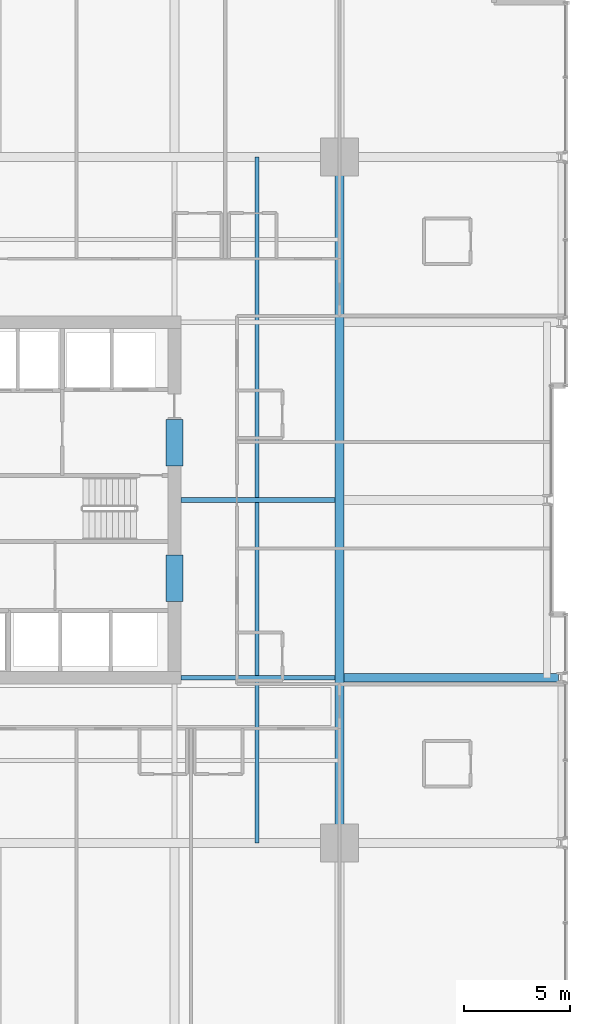
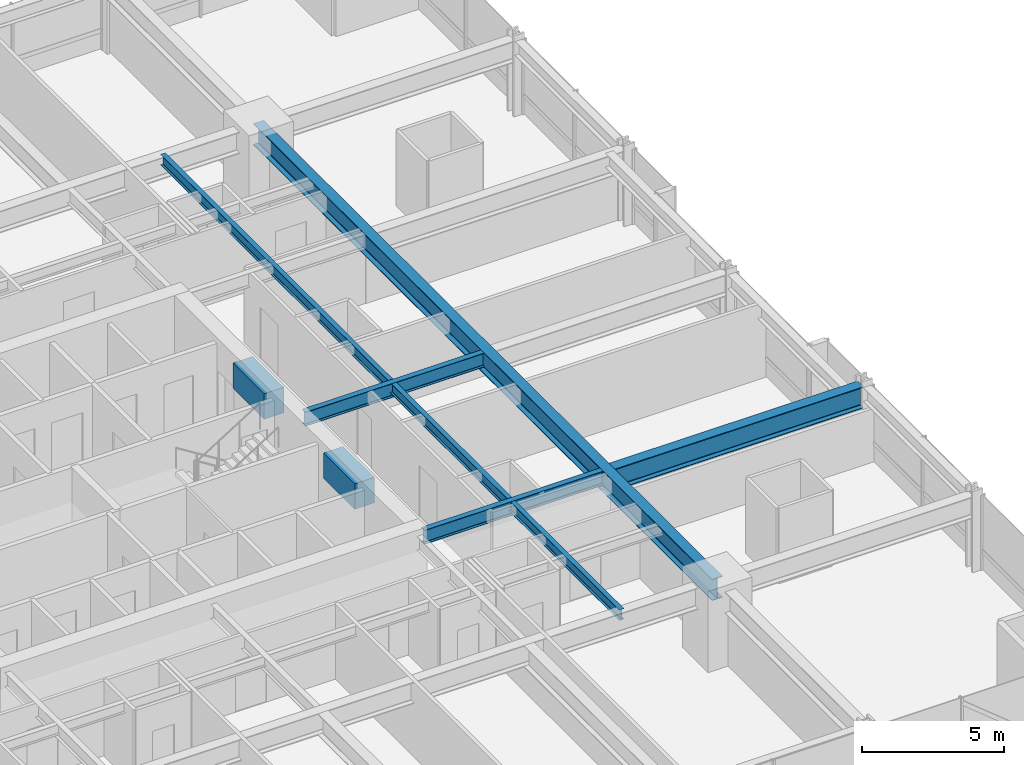
# One storey, part 15 of 39: 7 beams.
"""IFC4 building model written with IfcOpenShell, lengths in metres."""

from ifc_helpers import new_model, si_unit, direction, frame, origin, origin_2d, place, context, subcontext, project, spatial, rectangle, i_section, extrude, material, material_profile, profile_set, type_object, element, save


model = new_model("IFC4")

# Units and contexts
model_context = context("Model", 3, precision=1e-05, world=origin(), true_north=direction((0.0, 1.0)))
body_context = subcontext(model_context, "Body", "Model", "MODEL_VIEW")
ifc_project = project(units=[si_unit("LENGTHUNIT", "METRE"), si_unit("AREAUNIT", "SQUARE_METRE"), si_unit("VOLUMEUNIT", "CUBIC_METRE"), si_unit("PLANEANGLEUNIT", "RADIAN"), si_unit("MASSUNIT", "GRAM", prefix="KILO")], contexts=[model_context])

# Site, building, storey
site_placement = place(None, origin())
site = spatial("IfcSite", under=ifc_project, at=site_placement, CompositionType="ELEMENT")
building_placement = place(site_placement, origin())
building = spatial("IfcBuilding", under=site, at=building_placement, Name="Drelvath Grand Hotel", CompositionType="ELEMENT")
storey_placement = place(building_placement, frame((0.0, 0.0, 54.199951171875)))
storey = spatial("IfcBuildingStorey", under=building, at=storey_placement, Name="L12", CompositionType="ELEMENT", Elevation=54.199951171875)

# Beams
ifc_material_1 = material(Name="Steel ASTM A992 Gr 50", Category="steel")
ifc_material_profile_1 = material_profile(ifc_material_1, i_section(OverallWidth=0.19140625, OverallDepth=0.4599609375, WebThickness=0.010009765625, FlangeThickness=0.01611328125, FilletRadius=0.01611328125, at=origin_2d()), Name="W18X55")
ifc_profile_set_1 = profile_set([ifc_material_profile_1], Name="Steel ASTM A992 Gr 50")
beam_type_1 = type_object("IfcBeamType", Name="Composite Floor Joist W18X55", PredefinedType="JOIST", material=ifc_profile_set_1)
beam_1_placement = place(storey_placement, frame((12.300048828125, 10.800048828125, 3.010009765625), z_axis=(0.0, 1.0, 0.0), x_axis=(-1.0, 0.0, 0.0)))
element("IfcBeam", 1, at=beam_1_placement, inside=storey, type_object=beam_type_1, Name="L12 Wing Floor Joist J4", PredefinedType="JOIST", context=body_context, shape_type="SweptSolid", body=[
    extrude(i_section(OverallWidth=0.19140625, OverallDepth=0.4599609375, WebThickness=0.010009765625, FlangeThickness=0.01611328125, FilletRadius=0.01611328125, at=origin_2d()), origin(), (0.0, 0.0, 1.0), 32.39990234375),
])
ifc_material_2 = material(Name="Concrete f'c 70 MPa", Category="concrete")
ifc_material_profile_2 = material_profile(ifc_material_2, rectangle(XDim=0.800048828125, YDim=1.10009765625, at=origin_2d()), Name="CB800X1100")
ifc_profile_set_2 = profile_set([ifc_material_profile_2], Name="Concrete f'c 70 MPa")
beam_type_2 = type_object("IfcBeamType", Name="Core Coupling Lintel CB800X1100", PredefinedType="LINTEL", material=ifc_profile_set_2)
for number, where, z_axis, x_axis, name in (
    (2, (8.39990234375, 22.199951171875, 2.68994140625), (0.0, 1.0, 0.0), (-1.0, 0.0, 0.0), "L12 Core Coupling Lintel ES"),
    (3, (8.39990234375, 28.60009765625, 2.68994140625), (0.0, 1.0, 0.0), (-1.0, 0.0, 0.0), "L12 Core Coupling Lintel EN"),
):
    element("IfcBeam", number, at=place(storey_placement, frame(where, z_axis=z_axis, x_axis=x_axis)), inside=storey, type_object=beam_type_2, Name=name, PredefinedType="LINTEL", context=body_context, shape_type="SweptSolid", body=[
        extrude(rectangle(XDim=0.800048828125, YDim=1.10009765625, at=origin_2d()), origin(), (0.0, 0.0, 1.0), 2.199951171875),
    ])
ifc_material_profile_3 = material_profile(ifc_material_1, i_section(OverallWidth=0.228271484375, OverallDepth=0.607666015625, WebThickness=0.01123046875, FlangeThickness=0.017333984375, FilletRadius=0.02001953125, at=origin_2d()), Name="W24X76")
ifc_profile_set_3 = profile_set([ifc_material_profile_3], Name="Steel ASTM A992 Gr 50")
beam_type_3 = type_object("IfcBeamType", Name="Primary Floor Girder W24X76", PredefinedType="BEAM", material=ifc_profile_set_3)
for number, where, z_axis, x_axis, name in (
    (4, (8.699951171875, 18.60009765625, 2.936279296875), (1.0, 0.0, 0.0), (0.0, 1.0, 0.0), "L12 East Core Tie D"),
    (5, (8.699951171875, 27.0, 2.936279296875), (1.0, 0.0, 0.0), (0.0, 1.0, 0.0), "L12 East Core Tie E"),
):
    element("IfcBeam", number, at=place(storey_placement, frame(where, z_axis=z_axis, x_axis=x_axis)), inside=storey, type_object=beam_type_3, Name=name, PredefinedType="BEAM", context=body_context, shape_type="SweptSolid", body=[
        extrude(i_section(OverallWidth=0.228271484375, OverallDepth=0.607666015625, WebThickness=0.01123046875, FlangeThickness=0.017333984375, FilletRadius=0.02001953125, at=origin_2d()), origin(), (0.0, 0.0, 1.0), 7.290771484375),
    ])
ifc_material_profile_4 = material_profile(ifc_material_1, i_section(OverallWidth=0.418212890625, OverallDepth=0.926513671875, WebThickness=0.019287109375, FlangeThickness=0.031982421875, FilletRadius=0.028076171875, at=origin_2d()), Name="W36X231")
ifc_profile_set_4 = profile_set([ifc_material_profile_4], Name="Steel ASTM A992 Gr 50")
beam_type_4 = type_object("IfcBeamType", Name="Primary Floor Girder W36X231", PredefinedType="BEAM", material=ifc_profile_set_4)
beam_2_placement = place(storey_placement, frame((16.199951171875, 10.800048828125, 2.77685546875), z_axis=(0.0, 1.0, 0.0), x_axis=(-1.0, 0.0, 0.0)))
element("IfcBeam", 6, at=beam_2_placement, inside=storey, type_object=beam_type_4, Name="L12 Mega Ring Girder East", PredefinedType="BEAM", context=body_context, shape_type="SweptSolid", body=[
    extrude(i_section(OverallWidth=0.418212890625, OverallDepth=0.926513671875, WebThickness=0.019287109375, FlangeThickness=0.031982421875, FilletRadius=0.028076171875, at=origin_2d()), origin(), (0.0, 0.0, 1.0), 32.39990234375),
])
beam_3_placement = place(storey_placement, frame((16.4091796875, 18.60009765625, 2.77685546875), z_axis=(1.0, 0.0, 0.0), x_axis=(0.0, 1.0, 0.0)))
element("IfcBeam", 7, at=beam_3_placement, inside=storey, type_object=beam_type_4, Name="L12 East Wing Girder D", PredefinedType="BEAM", context=body_context, shape_type="SweptSolid", body=[
    extrude(i_section(OverallWidth=0.418212890625, OverallDepth=0.926513671875, WebThickness=0.019287109375, FlangeThickness=0.031982421875, FilletRadius=0.028076171875, at=origin_2d()), origin(), (0.0, 0.0, 1.0), 10.130859375),
])

save(model, "model.ifc")
